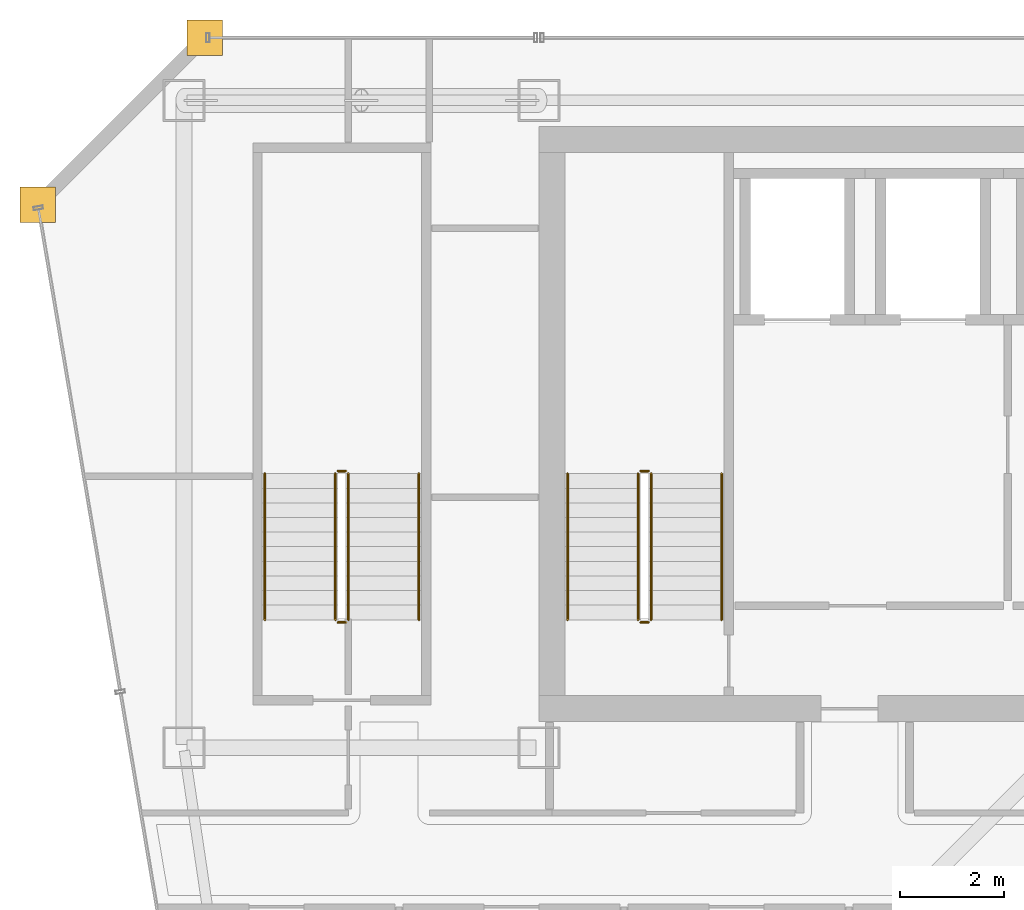
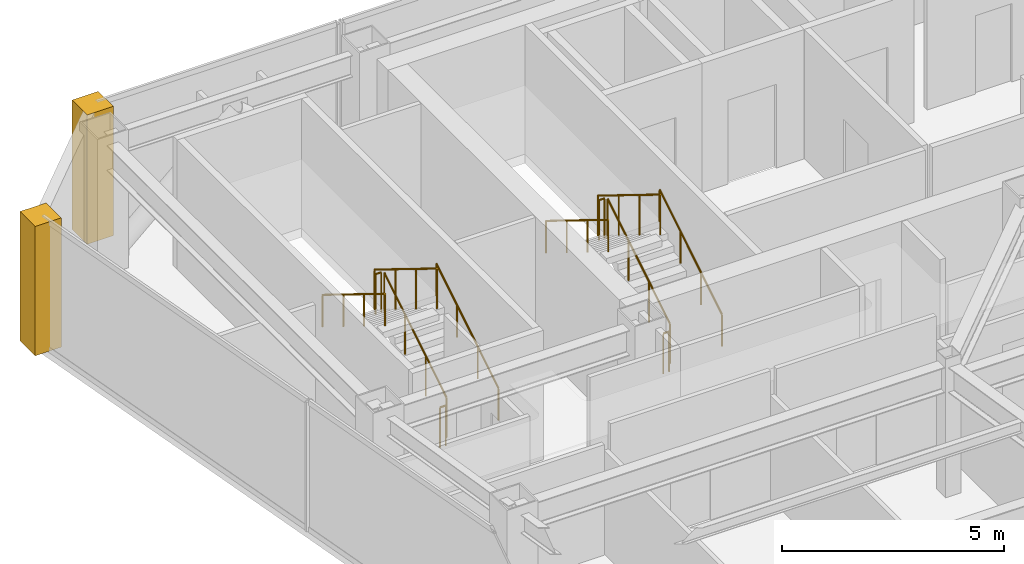
# One storey, part 34 of 36: 12 railings, 2 coverings.
"""IFC4 building model written with IfcOpenShell, lengths in metres."""

from ifc_helpers import new_model, si_unit, direction, frame, origin, origin_2d, place, context, subcontext, project, spatial, polyline, circle, outline, extrude, material, layer, layer_set, type_object, element, save


model = new_model("IFC4")

# Units and contexts
model_context = context("Model", 3, precision=1e-05, world=origin(), true_north=direction((0.0, 1.0)))
body_context = subcontext(model_context, "Body", "Model", "MODEL_VIEW")
ifc_project = project(units=[si_unit("LENGTHUNIT", "METRE"), si_unit("AREAUNIT", "SQUARE_METRE"), si_unit("VOLUMEUNIT", "CUBIC_METRE"), si_unit("PLANEANGLEUNIT", "RADIAN"), si_unit("MASSUNIT", "GRAM", prefix="KILO")], contexts=[model_context])

# Site, building, storey
site_placement = place(None, origin())
site = spatial("IfcSite", under=ifc_project, at=site_placement, CompositionType="ELEMENT")
building_placement = place(site_placement, origin())
building = spatial("IfcBuilding", under=site, at=building_placement, Name="Saevonmaru Cultural Tower", CompositionType="ELEMENT")
storey_placement = place(building_placement, frame((0.0, 0.0, 198.0)))
storey = spatial("IfcBuildingStorey", under=building, at=storey_placement, Name="L45", CompositionType="ELEMENT", Elevation=198.0)

# Coverings
ifc_material_1 = material(Name="Satin Bronze Anodised Aluminium", Category="aluminium")
ifc_layer = layer(ifc_material_1, 0.679931640625, Name="Satin Bronze Anodised Aluminium")
ifc_layer_set = layer_set([ifc_layer], Name="Satin Bronze Anodised Aluminium")
covering_type = type_object("IfcCoveringType", Name="CV-CORNER-CLAD", PredefinedType="CLADDING", material=ifc_layer_set)
covering_1_placement = place(storey_placement, origin())
element("IfcCovering", 1, at=covering_1_placement, inside=storey, type_object=covering_type, Name="L45 Tower Bronze Corner Cladding Pier 11", PredefinedType="CLADDING", context=body_context, shape_type="SweptSolid", body=[
    extrude(outline(polyline([(6.860107421875, 55.659912109375), (7.5400390625, 55.659912109375), (7.5400390625, 56.340087890625), (6.860107421875, 56.340087890625), (6.860107421875, 55.659912109375)])), origin(), (0.0, 0.0, 1.0), 3.550048828125),
])
covering_2_placement = place(storey_placement, origin())
element("IfcCovering", 2, at=covering_2_placement, inside=storey, type_object=covering_type, Name="L45 Tower Bronze Corner Cladding Pier 12", PredefinedType="CLADDING", context=body_context, shape_type="SweptSolid", body=[
    extrude(outline(polyline([(3.659912109375, 52.4599609375), (4.340087890625, 52.4599609375), (4.340087890625, 53.139892578125), (3.659912109375, 53.139892578125), (3.659912109375, 52.4599609375)])), origin(), (0.0, 0.0, 1.0), 3.550048828125),
])

# Railings
ifc_material_2 = material(Name="Architectural Painted Steel", Category="steel")
railing_type_1 = type_object("IfcRailingType", Name="RL-STAIR-GUARD", PredefinedType="GUARDRAIL", material=ifc_material_2)
railing_1_placement = place(storey_placement, frame((15.75, 44.85009765625, 0.172607421875)))
element("IfcRailing", 3, at=railing_1_placement, inside=storey, type_object=railing_type_1, Name="L45 ST-1 stair guard 1", PredefinedType="GUARDRAIL", context=body_context, shape_type="SweptSolid", body=[
    extrude(circle(Radius=0.02392578125, at=origin_2d()), frame((0.0, 0.0, 1.09619140625), z_axis=(0.0, 0.851069175582, 0.525053576669), x_axis=(-1.0, 0.0, 0.0)), (0.0, 0.0, 1.0), 3.289794921875),
    extrude(circle(Radius=0.02099609375, at=origin_2d()), origin(), (0.0, 0.0, 1.0), 1.072021484375),
    extrude(circle(Radius=0.02099609375, at=origin_2d()), frame((0.0, 0.933349609375, 0.57568359375)), (0.0, 0.0, 1.0), 1.072021484375),
    extrude(circle(Radius=0.02099609375, at=origin_2d()), frame((0.0, 1.866455078125, 1.151611328125)), (0.0, 0.0, 1.0), 1.072021484375),
    extrude(circle(Radius=0.02099609375, at=origin_2d()), frame((0.0, 2.7998046875, 1.727294921875)), (0.0, 0.0, 1.0), 1.072021484375),
])
railing_2_placement = place(storey_placement, frame((15.699951171875, 47.699951171875, 1.89990234375)))
element("IfcRailing", 4, at=railing_2_placement, inside=storey, type_object=railing_type_1, Name="L45 ST-1 stair guard 2", PredefinedType="GUARDRAIL", context=body_context, shape_type="SweptSolid", body=[
    extrude(circle(Radius=0.02392578125, at=origin_2d()), frame((0.0, 0.0, 1.09619140625), z_axis=(-1.0, 0.0, 0.0), x_axis=(0.0, -1.0, 0.0)), (0.0, 0.0, 1.0), 0.14990234375),
    extrude(circle(Radius=0.02099609375, at=origin_2d()), origin(), (0.0, 0.0, 1.0), 1.072021484375),
    extrude(circle(Radius=0.02099609375, at=origin_2d()), frame((-0.14990234375, 0.0, 0.0)), (0.0, 0.0, 1.0), 1.072021484375),
])
railing_3_placement = place(storey_placement, frame((15.5, 47.64990234375, 2.07275390625)))
element("IfcRailing", 5, at=railing_3_placement, inside=storey, type_object=railing_type_1, Name="L45 ST-1 stair guard 3", PredefinedType="GUARDRAIL", context=body_context, shape_type="SweptSolid", body=[
    extrude(circle(Radius=0.02392578125, at=origin_2d()), frame((0.0, 0.0, 1.09619140625), z_axis=(0.0, -0.851069175582, 0.525053576669), x_axis=(1.0, 0.0, 0.0)), (0.0, 0.0, 1.0), 3.289794921875),
    extrude(circle(Radius=0.02099609375, at=origin_2d()), origin(), (0.0, 0.0, 1.0), 1.072021484375),
    extrude(circle(Radius=0.02099609375, at=origin_2d()), frame((0.0, -0.933349609375, 0.57568359375)), (0.0, 0.0, 1.0), 1.072021484375),
    extrude(circle(Radius=0.02099609375, at=origin_2d()), frame((0.0, -1.866455078125, 1.151611328125)), (0.0, 0.0, 1.0), 1.072021484375),
    extrude(circle(Radius=0.02099609375, at=origin_2d()), frame((0.0, -2.7998046875, 1.727294921875)), (0.0, 0.0, 1.0), 1.072021484375),
])
railing_4_placement = place(storey_placement, frame((15.699951171875, 44.800048828125, 0.0)))
element("IfcRailing", 6, at=railing_4_placement, inside=storey, type_object=railing_type_1, Name="L45 ST-1 stair guard 4", PredefinedType="GUARDRAIL", context=body_context, shape_type="SweptSolid", body=[
    extrude(circle(Radius=0.02392578125, at=origin_2d()), frame((0.0, 0.0, 1.09619140625), z_axis=(-1.0, 0.0, 0.0), x_axis=(0.0, -1.0, 0.0)), (0.0, 0.0, 1.0), 0.14990234375),
    extrude(circle(Radius=0.02099609375, at=origin_2d()), origin(), (0.0, 0.0, 1.0), 1.072021484375),
    extrude(circle(Radius=0.02099609375, at=origin_2d()), frame((-0.14990234375, 0.0, 0.0)), (0.0, 0.0, 1.0), 1.072021484375),
])
railing_5_placement = place(storey_placement, frame((9.949951171875, 44.85009765625, 0.172607421875)))
element("IfcRailing", 7, at=railing_5_placement, inside=storey, type_object=railing_type_1, Name="L45 ST-3 stair guard 1", PredefinedType="GUARDRAIL", context=body_context, shape_type="SweptSolid", body=[
    extrude(circle(Radius=0.02392578125, at=origin_2d()), frame((0.0, 0.0, 1.09619140625), z_axis=(0.0, 0.851069175582, 0.525053576669), x_axis=(-1.0, 0.0, 0.0)), (0.0, 0.0, 1.0), 3.289794921875),
    extrude(circle(Radius=0.02099609375, at=origin_2d()), origin(), (0.0, 0.0, 1.0), 1.072021484375),
    extrude(circle(Radius=0.02099609375, at=origin_2d()), frame((0.0, 0.933349609375, 0.57568359375)), (0.0, 0.0, 1.0), 1.072021484375),
    extrude(circle(Radius=0.02099609375, at=origin_2d()), frame((0.0, 1.866455078125, 1.151611328125)), (0.0, 0.0, 1.0), 1.072021484375),
    extrude(circle(Radius=0.02099609375, at=origin_2d()), frame((0.0, 2.7998046875, 1.727294921875)), (0.0, 0.0, 1.0), 1.072021484375),
])
railing_6_placement = place(storey_placement, frame((9.89990234375, 47.699951171875, 1.89990234375)))
element("IfcRailing", 8, at=railing_6_placement, inside=storey, type_object=railing_type_1, Name="L45 ST-3 stair guard 2", PredefinedType="GUARDRAIL", context=body_context, shape_type="SweptSolid", body=[
    extrude(circle(Radius=0.02392578125, at=origin_2d()), frame((0.0, 0.0, 1.09619140625), z_axis=(-1.0, 0.0, 0.0), x_axis=(0.0, -1.0, 0.0)), (0.0, 0.0, 1.0), 0.14990234375),
    extrude(circle(Radius=0.02099609375, at=origin_2d()), origin(), (0.0, 0.0, 1.0), 1.072021484375),
    extrude(circle(Radius=0.02099609375, at=origin_2d()), frame((-0.14990234375, 0.0, 0.0)), (0.0, 0.0, 1.0), 1.072021484375),
])
railing_7_placement = place(storey_placement, frame((9.699951171875, 47.64990234375, 2.07275390625)))
element("IfcRailing", 9, at=railing_7_placement, inside=storey, type_object=railing_type_1, Name="L45 ST-3 stair guard 3", PredefinedType="GUARDRAIL", context=body_context, shape_type="SweptSolid", body=[
    extrude(circle(Radius=0.02392578125, at=origin_2d()), frame((0.0, 0.0, 1.09619140625), z_axis=(0.0, -0.851069175582, 0.525053576669), x_axis=(1.0, 0.0, 0.0)), (0.0, 0.0, 1.0), 3.289794921875),
    extrude(circle(Radius=0.02099609375, at=origin_2d()), origin(), (0.0, 0.0, 1.0), 1.072021484375),
    extrude(circle(Radius=0.02099609375, at=origin_2d()), frame((0.0, -0.933349609375, 0.57568359375)), (0.0, 0.0, 1.0), 1.072021484375),
    extrude(circle(Radius=0.02099609375, at=origin_2d()), frame((0.0, -1.866455078125, 1.151611328125)), (0.0, 0.0, 1.0), 1.072021484375),
    extrude(circle(Radius=0.02099609375, at=origin_2d()), frame((0.0, -2.7998046875, 1.727294921875)), (0.0, 0.0, 1.0), 1.072021484375),
])
railing_8_placement = place(storey_placement, frame((9.89990234375, 44.800048828125, 0.0)))
element("IfcRailing", 10, at=railing_8_placement, inside=storey, type_object=railing_type_1, Name="L45 ST-3 stair guard 4", PredefinedType="GUARDRAIL", context=body_context, shape_type="SweptSolid", body=[
    extrude(circle(Radius=0.02392578125, at=origin_2d()), frame((0.0, 0.0, 1.09619140625), z_axis=(-1.0, 0.0, 0.0), x_axis=(0.0, -1.0, 0.0)), (0.0, 0.0, 1.0), 0.14990234375),
    extrude(circle(Radius=0.02099609375, at=origin_2d()), origin(), (0.0, 0.0, 1.0), 1.072021484375),
    extrude(circle(Radius=0.02099609375, at=origin_2d()), frame((-0.14990234375, 0.0, 0.0)), (0.0, 0.0, 1.0), 1.072021484375),
])
railing_type_2 = type_object("IfcRailingType", Name="RL-STAIR-HANDRAIL", PredefinedType="HANDRAIL", material=ifc_material_1)
railing_9_placement = place(storey_placement, frame((17.10009765625, 44.85009765625, 0.172607421875)))
element("IfcRailing", 11, at=railing_9_placement, inside=storey, type_object=railing_type_2, Name="L45 ST-1 stair handrail 1", PredefinedType="HANDRAIL", context=body_context, shape_type="SweptSolid", body=[
    extrude(circle(Radius=0.02392578125, at=origin_2d()), frame((0.0, 0.0, 0.8759765625), z_axis=(0.0, 0.851069175582, 0.525053576669), x_axis=(-1.0, 0.0, 0.0)), (0.0, 0.0, 1.0), 3.289794921875),
    extrude(circle(Radius=0.02099609375, at=origin_2d()), origin(), (0.0, 0.0, 1.0), 0.851806640625),
    extrude(circle(Radius=0.02099609375, at=origin_2d()), frame((0.0, 0.933349609375, 0.57568359375)), (0.0, 0.0, 1.0), 0.851806640625),
    extrude(circle(Radius=0.02099609375, at=origin_2d()), frame((0.0, 1.866455078125, 1.151611328125)), (0.0, 0.0, 1.0), 0.851806640625),
    extrude(circle(Radius=0.02099609375, at=origin_2d()), frame((0.0, 2.7998046875, 1.727294921875)), (0.0, 0.0, 1.0), 0.851806640625),
])
railing_10_placement = place(storey_placement, frame((14.14990234375, 47.64990234375, 2.07275390625)))
element("IfcRailing", 12, at=railing_10_placement, inside=storey, type_object=railing_type_2, Name="L45 ST-1 stair handrail 2", PredefinedType="HANDRAIL", context=body_context, shape_type="SweptSolid", body=[
    extrude(circle(Radius=0.02392578125, at=origin_2d()), frame((0.0, 0.0, 0.8759765625), z_axis=(0.0, -0.851069175582, 0.525053576669), x_axis=(1.0, 0.0, 0.0)), (0.0, 0.0, 1.0), 3.289794921875),
    extrude(circle(Radius=0.02099609375, at=origin_2d()), origin(), (0.0, 0.0, 1.0), 0.851806640625),
    extrude(circle(Radius=0.02099609375, at=origin_2d()), frame((0.0, -0.933349609375, 0.57568359375)), (0.0, 0.0, 1.0), 0.851806640625),
    extrude(circle(Radius=0.02099609375, at=origin_2d()), frame((0.0, -1.866455078125, 1.151611328125)), (0.0, 0.0, 1.0), 0.851806640625),
    extrude(circle(Radius=0.02099609375, at=origin_2d()), frame((0.0, -2.7998046875, 1.727294921875)), (0.0, 0.0, 1.0), 0.851806640625),
])
railing_11_placement = place(storey_placement, frame((11.300048828125, 44.85009765625, 0.172607421875)))
element("IfcRailing", 13, at=railing_11_placement, inside=storey, type_object=railing_type_2, Name="L45 ST-3 stair handrail 1", PredefinedType="HANDRAIL", context=body_context, shape_type="SweptSolid", body=[
    extrude(circle(Radius=0.02392578125, at=origin_2d()), frame((0.0, 0.0, 0.8759765625), z_axis=(0.0, 0.851069175582, 0.525053576669), x_axis=(-1.0, 0.0, 0.0)), (0.0, 0.0, 1.0), 3.289794921875),
    extrude(circle(Radius=0.02099609375, at=origin_2d()), origin(), (0.0, 0.0, 1.0), 0.851806640625),
    extrude(circle(Radius=0.02099609375, at=origin_2d()), frame((0.0, 0.933349609375, 0.57568359375)), (0.0, 0.0, 1.0), 0.851806640625),
    extrude(circle(Radius=0.02099609375, at=origin_2d()), frame((0.0, 1.866455078125, 1.151611328125)), (0.0, 0.0, 1.0), 0.851806640625),
    extrude(circle(Radius=0.02099609375, at=origin_2d()), frame((0.0, 2.7998046875, 1.727294921875)), (0.0, 0.0, 1.0), 0.851806640625),
])
railing_12_placement = place(storey_placement, frame((8.35009765625, 47.64990234375, 2.07275390625)))
element("IfcRailing", 14, at=railing_12_placement, inside=storey, type_object=railing_type_2, Name="L45 ST-3 stair handrail 2", PredefinedType="HANDRAIL", context=body_context, shape_type="SweptSolid", body=[
    extrude(circle(Radius=0.02392578125, at=origin_2d()), frame((0.0, 0.0, 0.8759765625), z_axis=(0.0, -0.851069175582, 0.525053576669), x_axis=(1.0, 0.0, 0.0)), (0.0, 0.0, 1.0), 3.289794921875),
    extrude(circle(Radius=0.02099609375, at=origin_2d()), origin(), (0.0, 0.0, 1.0), 0.851806640625),
    extrude(circle(Radius=0.02099609375, at=origin_2d()), frame((0.0, -0.933349609375, 0.57568359375)), (0.0, 0.0, 1.0), 0.851806640625),
    extrude(circle(Radius=0.02099609375, at=origin_2d()), frame((0.0, -1.866455078125, 1.151611328125)), (0.0, 0.0, 1.0), 0.851806640625),
    extrude(circle(Radius=0.02099609375, at=origin_2d()), frame((0.0, -2.7998046875, 1.727294921875)), (0.0, 0.0, 1.0), 0.851806640625),
])

save(model, "model.ifc")
